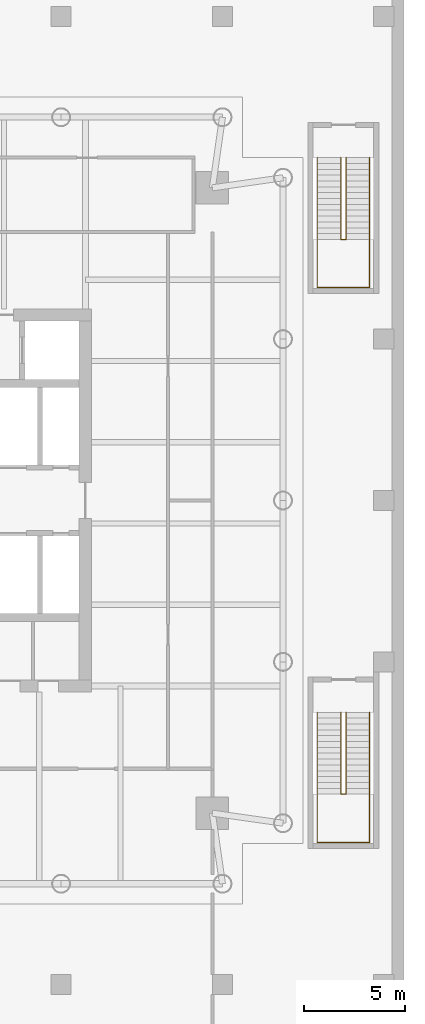
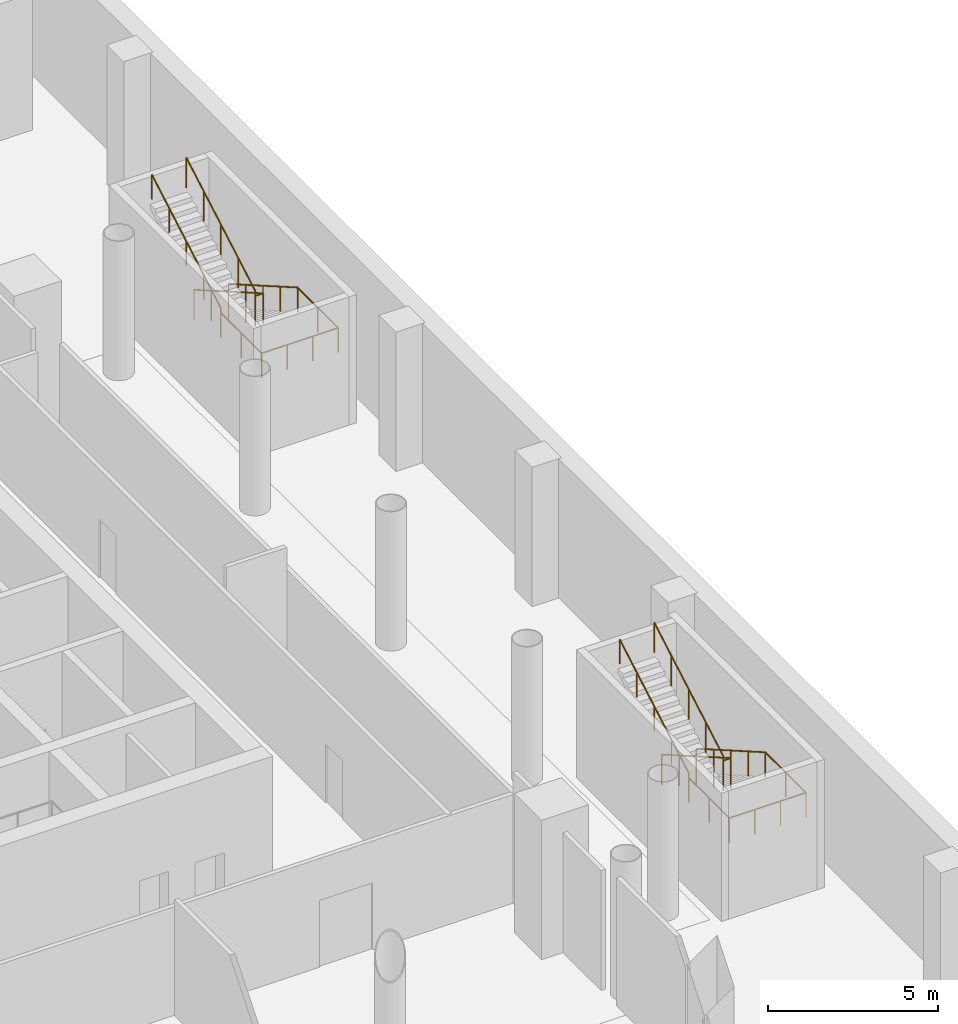
# One storey, part 21 of 22: 4 railings.
"""IFC4 building model written with IfcOpenShell, lengths in metres."""

from ifc_helpers import new_model, si_unit, direction, frame, origin, origin_2d, place, context, subcontext, project, spatial, circle, extrude, material, type_object, element, save


model = new_model("IFC4")

# Units and contexts
model_context = context("Model", 3, precision=1e-05, world=origin(), true_north=direction((0.0, 1.0)))
body_context = subcontext(model_context, "Body", "Model", "MODEL_VIEW")
ifc_project = project(units=[si_unit("LENGTHUNIT", "METRE"), si_unit("AREAUNIT", "SQUARE_METRE"), si_unit("VOLUMEUNIT", "CUBIC_METRE"), si_unit("PLANEANGLEUNIT", "RADIAN"), si_unit("MASSUNIT", "GRAM", prefix="KILO")], contexts=[model_context])

# Site, building, storey
site_placement = place(None, origin())
site = spatial("IfcSite", under=ifc_project, at=site_placement, CompositionType="ELEMENT")
building_placement = place(site_placement, origin())
building = spatial("IfcBuilding", under=site, at=building_placement, Name="Ostroluk Exchange", CompositionType="ELEMENT")
storey_placement = place(building_placement, frame((0.0, 0.0, -5.0)))
storey = spatial("IfcBuildingStorey", under=building, at=storey_placement, Name="B1", CompositionType="ELEMENT", Elevation=-5.0)

# Railings
ifc_material_1 = material(Name="Steel S355", Category="steel")
railing_type_1 = type_object("IfcRailingType", Name="Stair guard 1100", PredefinedType="GUARDRAIL", material=ifc_material_1)
railing_1_placement = place(storey_placement, frame((139.1298828125, 35.5, 0.166748046875)))
element("IfcRailing", 1, at=railing_1_placement, inside=storey, type_object=railing_type_1, Name="Stair PS7 guard B1", PredefinedType="GUARDRAIL", context=body_context, shape_type="SweptSolid", body=[
    extrude(circle(Radius=0.02392578125, at=origin_2d()), frame((0.0, 0.0, 1.076171875), z_axis=(0.0, -0.867024558463, 0.498265406207), x_axis=(1.0, 0.0, 0.0)), (0.0, 0.0, 1.0), 4.682861328125),
    extrude(circle(Radius=0.02392578125, at=origin_2d()), frame((0.0, -4.06005859375, 3.4091796875), z_axis=(-1.0, 0.0, 0.0), x_axis=(0.0, -1.0, 0.0)), (0.0, 0.0, 1.0), 0.259765625),
    extrude(circle(Radius=0.02392578125, at=origin_2d()), frame((-0.259765625, -4.06005859375, 3.4091796875), z_axis=(0.0, 0.0, 1.0), x_axis=(1.0, 0.0, 0.0)), (0.0, 0.0, 1.0), 0.166748046875),
    extrude(circle(Radius=0.02392578125, at=origin_2d()), frame((-0.259765625, -4.06005859375, 3.576171875), z_axis=(0.0, 0.867024558463, 0.498265406207), x_axis=(-1.0, 0.0, 0.0)), (0.0, 0.0, 1.0), 4.682861328125),
    extrude(circle(Radius=0.02099609375, at=origin_2d()), origin(), (0.0, 0.0, 1.0), 1.052001953125),
    extrude(circle(Radius=0.02099609375, at=origin_2d()), frame((0.0, -1.01513671875, 0.583251953125)), (0.0, 0.0, 1.0), 1.052001953125),
    extrude(circle(Radius=0.02099609375, at=origin_2d()), frame((0.0, -2.030029296875, 1.16650390625)), (0.0, 0.0, 1.0), 1.052001953125),
    extrude(circle(Radius=0.02099609375, at=origin_2d()), frame((0.0, -3.044921875, 1.75)), (0.0, 0.0, 1.0), 1.052001953125),
    extrude(circle(Radius=0.02099609375, at=origin_2d()), frame((0.0, -4.06005859375, 2.333251953125)), (0.0, 0.0, 1.0), 1.052001953125),
    extrude(circle(Radius=0.02099609375, at=origin_2d()), frame((-0.259765625, -4.06005859375, 2.333251953125)), (0.0, 0.0, 1.0), 1.052001953125),
    extrude(circle(Radius=0.02099609375, at=origin_2d()), frame((-0.259765625, -4.06005859375, 2.5)), (0.0, 0.0, 1.0), 1.052001953125),
    extrude(circle(Radius=0.02099609375, at=origin_2d()), frame((-0.259765625, -3.044921875, 3.083251953125)), (0.0, 0.0, 1.0), 1.052001953125),
    extrude(circle(Radius=0.02099609375, at=origin_2d()), frame((-0.259765625, -2.030029296875, 3.66650390625)), (0.0, 0.0, 1.0), 1.052001953125),
    extrude(circle(Radius=0.02099609375, at=origin_2d()), frame((-0.259765625, -1.01513671875, 4.25)), (0.0, 0.0, 1.0), 1.052001953125),
    extrude(circle(Radius=0.02099609375, at=origin_2d()), frame((-0.259765625, 0.0, 4.833251953125)), (0.0, 0.0, 1.0), 1.052001953125),
])
railing_2_placement = place(storey_placement, frame((139.1298828125, 63.0, 0.166748046875)))
element("IfcRailing", 2, at=railing_2_placement, inside=storey, type_object=railing_type_1, Name="Stair PS8 guard B1", PredefinedType="GUARDRAIL", context=body_context, shape_type="SweptSolid", body=[
    extrude(circle(Radius=0.02392578125, at=origin_2d()), frame((0.0, 0.0, 1.076171875), z_axis=(0.0, -0.867024558463, 0.498265406207), x_axis=(1.0, 0.0, 0.0)), (0.0, 0.0, 1.0), 4.682861328125),
    extrude(circle(Radius=0.02392578125, at=origin_2d()), frame((0.0, -4.06005859375, 3.4091796875), z_axis=(-1.0, 0.0, 0.0), x_axis=(0.0, -1.0, 0.0)), (0.0, 0.0, 1.0), 0.259765625),
    extrude(circle(Radius=0.02392578125, at=origin_2d()), frame((-0.259765625, -4.06005859375, 3.4091796875), z_axis=(0.0, 0.0, 1.0), x_axis=(1.0, 0.0, 0.0)), (0.0, 0.0, 1.0), 0.166748046875),
    extrude(circle(Radius=0.02392578125, at=origin_2d()), frame((-0.259765625, -4.06005859375, 3.576171875), z_axis=(0.0, 0.867024558463, 0.498265406207), x_axis=(-1.0, 0.0, 0.0)), (0.0, 0.0, 1.0), 4.682861328125),
    extrude(circle(Radius=0.02099609375, at=origin_2d()), origin(), (0.0, 0.0, 1.0), 1.052001953125),
    extrude(circle(Radius=0.02099609375, at=origin_2d()), frame((0.0, -1.01513671875, 0.583251953125)), (0.0, 0.0, 1.0), 1.052001953125),
    extrude(circle(Radius=0.02099609375, at=origin_2d()), frame((0.0, -2.030029296875, 1.16650390625)), (0.0, 0.0, 1.0), 1.052001953125),
    extrude(circle(Radius=0.02099609375, at=origin_2d()), frame((0.0, -3.044921875, 1.75)), (0.0, 0.0, 1.0), 1.052001953125),
    extrude(circle(Radius=0.02099609375, at=origin_2d()), frame((0.0, -4.06005859375, 2.333251953125)), (0.0, 0.0, 1.0), 1.052001953125),
    extrude(circle(Radius=0.02099609375, at=origin_2d()), frame((-0.259765625, -4.06005859375, 2.333251953125)), (0.0, 0.0, 1.0), 1.052001953125),
    extrude(circle(Radius=0.02099609375, at=origin_2d()), frame((-0.259765625, -4.06005859375, 2.5)), (0.0, 0.0, 1.0), 1.052001953125),
    extrude(circle(Radius=0.02099609375, at=origin_2d()), frame((-0.259765625, -3.044921875, 3.083251953125)), (0.0, 0.0, 1.0), 1.052001953125),
    extrude(circle(Radius=0.02099609375, at=origin_2d()), frame((-0.259765625, -2.030029296875, 3.66650390625)), (0.0, 0.0, 1.0), 1.052001953125),
    extrude(circle(Radius=0.02099609375, at=origin_2d()), frame((-0.259765625, -1.01513671875, 4.25)), (0.0, 0.0, 1.0), 1.052001953125),
    extrude(circle(Radius=0.02099609375, at=origin_2d()), frame((-0.259765625, 0.0, 4.833251953125)), (0.0, 0.0, 1.0), 1.052001953125),
])
ifc_material_2 = material(Name="Stainless steel", Category="steel")
railing_type_2 = type_object("IfcRailingType", Name="Stair handrail 900", PredefinedType="HANDRAIL", material=ifc_material_2)
railing_3_placement = place(storey_placement, frame((140.300048828125, 35.5, 0.166748046875)))
element("IfcRailing", 3, at=railing_3_placement, inside=storey, type_object=railing_type_2, Name="Stair PS7 handrail B1", PredefinedType="HANDRAIL", context=body_context, shape_type="SweptSolid", body=[
    extrude(circle(Radius=0.02392578125, at=origin_2d()), frame((0.0, 0.0, 0.8759765625), z_axis=(0.0, -0.867024558463, 0.498265406207), x_axis=(1.0, 0.0, 0.0)), (0.0, 0.0, 1.0), 4.682861328125),
    extrude(circle(Radius=0.02392578125, at=origin_2d()), frame((0.0, -4.06005859375, 3.208984375), z_axis=(0.0, -1.0, 0.0), x_axis=(1.0, 0.0, 0.0)), (0.0, 0.0, 1.0), 2.389892578125),
    extrude(circle(Radius=0.02392578125, at=origin_2d()), frame((0.0, -6.449951171875, 3.208984375), z_axis=(-1.0, 0.0, 0.0), x_axis=(0.0, -1.0, 0.0)), (0.0, 0.0, 1.0), 2.60009765625),
    extrude(circle(Radius=0.02392578125, at=origin_2d()), frame((-2.60009765625, -6.449951171875, 3.208984375), z_axis=(0.0, 1.0, 0.0), x_axis=(-1.0, 0.0, 0.0)), (0.0, 0.0, 1.0), 2.389892578125),
    extrude(circle(Radius=0.02392578125, at=origin_2d()), frame((-2.60009765625, -4.06005859375, 3.208984375), z_axis=(0.0, 0.0, 1.0), x_axis=(1.0, 0.0, 0.0)), (0.0, 0.0, 1.0), 0.166748046875),
    extrude(circle(Radius=0.02392578125, at=origin_2d()), frame((-2.60009765625, -4.06005859375, 3.3759765625), z_axis=(0.0, 0.867024558463, 0.498265406207), x_axis=(-1.0, 0.0, 0.0)), (0.0, 0.0, 1.0), 4.682861328125),
    extrude(circle(Radius=0.02099609375, at=origin_2d()), origin(), (0.0, 0.0, 1.0), 0.851806640625),
    extrude(circle(Radius=0.02099609375, at=origin_2d()), frame((0.0, -1.01513671875, 0.583251953125)), (0.0, 0.0, 1.0), 0.851806640625),
    extrude(circle(Radius=0.02099609375, at=origin_2d()), frame((0.0, -2.030029296875, 1.16650390625)), (0.0, 0.0, 1.0), 0.851806640625),
    extrude(circle(Radius=0.02099609375, at=origin_2d()), frame((0.0, -3.044921875, 1.75)), (0.0, 0.0, 1.0), 0.851806640625),
    extrude(circle(Radius=0.02099609375, at=origin_2d()), frame((0.0, -4.06005859375, 2.333251953125)), (0.0, 0.0, 1.0), 0.851806640625),
    extrude(circle(Radius=0.02099609375, at=origin_2d()), frame((0.0, -5.2548828125, 2.333251953125)), (0.0, 0.0, 1.0), 0.851806640625),
    extrude(circle(Radius=0.02099609375, at=origin_2d()), frame((0.0, -6.449951171875, 2.333251953125)), (0.0, 0.0, 1.0), 0.851806640625),
    extrude(circle(Radius=0.02099609375, at=origin_2d()), frame((-0.86669921875, -6.449951171875, 2.333251953125)), (0.0, 0.0, 1.0), 0.851806640625),
    extrude(circle(Radius=0.02099609375, at=origin_2d()), frame((-1.7333984375, -6.449951171875, 2.333251953125)), (0.0, 0.0, 1.0), 0.851806640625),
    extrude(circle(Radius=0.02099609375, at=origin_2d()), frame((-2.60009765625, -6.449951171875, 2.333251953125)), (0.0, 0.0, 1.0), 0.851806640625),
    extrude(circle(Radius=0.02099609375, at=origin_2d()), frame((-2.60009765625, -5.2548828125, 2.333251953125)), (0.0, 0.0, 1.0), 0.851806640625),
    extrude(circle(Radius=0.02099609375, at=origin_2d()), frame((-2.60009765625, -4.06005859375, 2.333251953125)), (0.0, 0.0, 1.0), 0.851806640625),
    extrude(circle(Radius=0.02099609375, at=origin_2d()), frame((-2.60009765625, -4.06005859375, 2.5)), (0.0, 0.0, 1.0), 0.851806640625),
    extrude(circle(Radius=0.02099609375, at=origin_2d()), frame((-2.60009765625, -3.044921875, 3.083251953125)), (0.0, 0.0, 1.0), 0.851806640625),
    extrude(circle(Radius=0.02099609375, at=origin_2d()), frame((-2.60009765625, -2.030029296875, 3.66650390625)), (0.0, 0.0, 1.0), 0.851806640625),
    extrude(circle(Radius=0.02099609375, at=origin_2d()), frame((-2.60009765625, -1.01513671875, 4.25)), (0.0, 0.0, 1.0), 0.851806640625),
    extrude(circle(Radius=0.02099609375, at=origin_2d()), frame((-2.60009765625, 0.0, 4.833251953125)), (0.0, 0.0, 1.0), 0.851806640625),
])
railing_4_placement = place(storey_placement, frame((140.300048828125, 63.0, 0.166748046875)))
element("IfcRailing", 4, at=railing_4_placement, inside=storey, type_object=railing_type_2, Name="Stair PS8 handrail B1", PredefinedType="HANDRAIL", context=body_context, shape_type="SweptSolid", body=[
    extrude(circle(Radius=0.02392578125, at=origin_2d()), frame((0.0, 0.0, 0.8759765625), z_axis=(0.0, -0.867024558463, 0.498265406207), x_axis=(1.0, 0.0, 0.0)), (0.0, 0.0, 1.0), 4.682861328125),
    extrude(circle(Radius=0.02392578125, at=origin_2d()), frame((0.0, -4.06005859375, 3.208984375), z_axis=(0.0, -1.0, 0.0), x_axis=(1.0, 0.0, 0.0)), (0.0, 0.0, 1.0), 2.389892578125),
    extrude(circle(Radius=0.02392578125, at=origin_2d()), frame((0.0, -6.449951171875, 3.208984375), z_axis=(-1.0, 0.0, 0.0), x_axis=(0.0, -1.0, 0.0)), (0.0, 0.0, 1.0), 2.60009765625),
    extrude(circle(Radius=0.02392578125, at=origin_2d()), frame((-2.60009765625, -6.449951171875, 3.208984375), z_axis=(0.0, 1.0, 0.0), x_axis=(-1.0, 0.0, 0.0)), (0.0, 0.0, 1.0), 2.389892578125),
    extrude(circle(Radius=0.02392578125, at=origin_2d()), frame((-2.60009765625, -4.06005859375, 3.208984375), z_axis=(0.0, 0.0, 1.0), x_axis=(1.0, 0.0, 0.0)), (0.0, 0.0, 1.0), 0.166748046875),
    extrude(circle(Radius=0.02392578125, at=origin_2d()), frame((-2.60009765625, -4.06005859375, 3.3759765625), z_axis=(0.0, 0.867024558463, 0.498265406207), x_axis=(-1.0, 0.0, 0.0)), (0.0, 0.0, 1.0), 4.682861328125),
    extrude(circle(Radius=0.02099609375, at=origin_2d()), origin(), (0.0, 0.0, 1.0), 0.851806640625),
    extrude(circle(Radius=0.02099609375, at=origin_2d()), frame((0.0, -1.01513671875, 0.583251953125)), (0.0, 0.0, 1.0), 0.851806640625),
    extrude(circle(Radius=0.02099609375, at=origin_2d()), frame((0.0, -2.030029296875, 1.16650390625)), (0.0, 0.0, 1.0), 0.851806640625),
    extrude(circle(Radius=0.02099609375, at=origin_2d()), frame((0.0, -3.044921875, 1.75)), (0.0, 0.0, 1.0), 0.851806640625),
    extrude(circle(Radius=0.02099609375, at=origin_2d()), frame((0.0, -4.06005859375, 2.333251953125)), (0.0, 0.0, 1.0), 0.851806640625),
    extrude(circle(Radius=0.02099609375, at=origin_2d()), frame((0.0, -5.2548828125, 2.333251953125)), (0.0, 0.0, 1.0), 0.851806640625),
    extrude(circle(Radius=0.02099609375, at=origin_2d()), frame((0.0, -6.449951171875, 2.333251953125)), (0.0, 0.0, 1.0), 0.851806640625),
    extrude(circle(Radius=0.02099609375, at=origin_2d()), frame((-0.86669921875, -6.449951171875, 2.333251953125)), (0.0, 0.0, 1.0), 0.851806640625),
    extrude(circle(Radius=0.02099609375, at=origin_2d()), frame((-1.7333984375, -6.449951171875, 2.333251953125)), (0.0, 0.0, 1.0), 0.851806640625),
    extrude(circle(Radius=0.02099609375, at=origin_2d()), frame((-2.60009765625, -6.449951171875, 2.333251953125)), (0.0, 0.0, 1.0), 0.851806640625),
    extrude(circle(Radius=0.02099609375, at=origin_2d()), frame((-2.60009765625, -5.2548828125, 2.333251953125)), (0.0, 0.0, 1.0), 0.851806640625),
    extrude(circle(Radius=0.02099609375, at=origin_2d()), frame((-2.60009765625, -4.06005859375, 2.333251953125)), (0.0, 0.0, 1.0), 0.851806640625),
    extrude(circle(Radius=0.02099609375, at=origin_2d()), frame((-2.60009765625, -4.06005859375, 2.5)), (0.0, 0.0, 1.0), 0.851806640625),
    extrude(circle(Radius=0.02099609375, at=origin_2d()), frame((-2.60009765625, -3.044921875, 3.083251953125)), (0.0, 0.0, 1.0), 0.851806640625),
    extrude(circle(Radius=0.02099609375, at=origin_2d()), frame((-2.60009765625, -2.030029296875, 3.66650390625)), (0.0, 0.0, 1.0), 0.851806640625),
    extrude(circle(Radius=0.02099609375, at=origin_2d()), frame((-2.60009765625, -1.01513671875, 4.25)), (0.0, 0.0, 1.0), 0.851806640625),
    extrude(circle(Radius=0.02099609375, at=origin_2d()), frame((-2.60009765625, 0.0, 4.833251953125)), (0.0, 0.0, 1.0), 0.851806640625),
])

save(model, "model.ifc")
